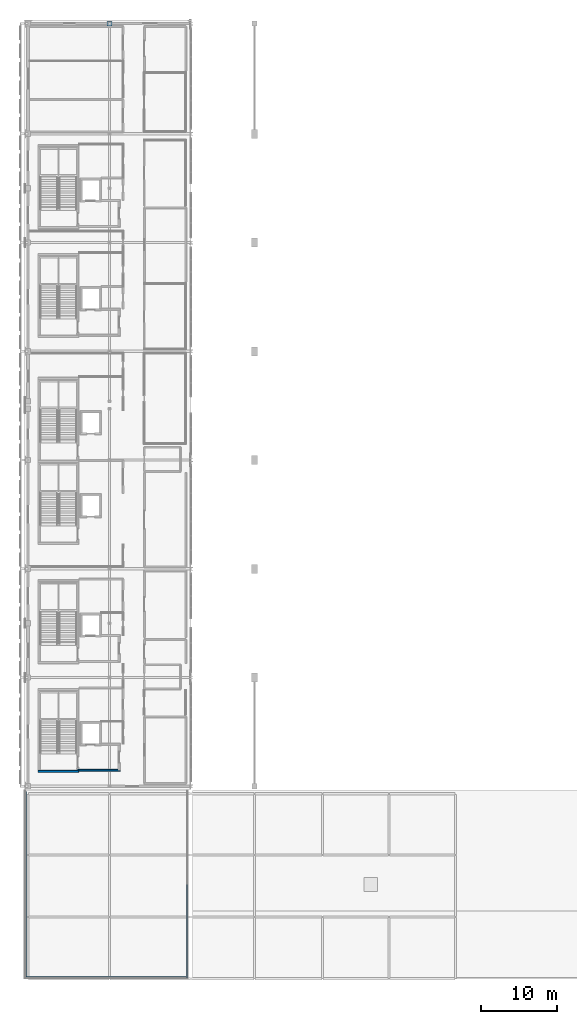
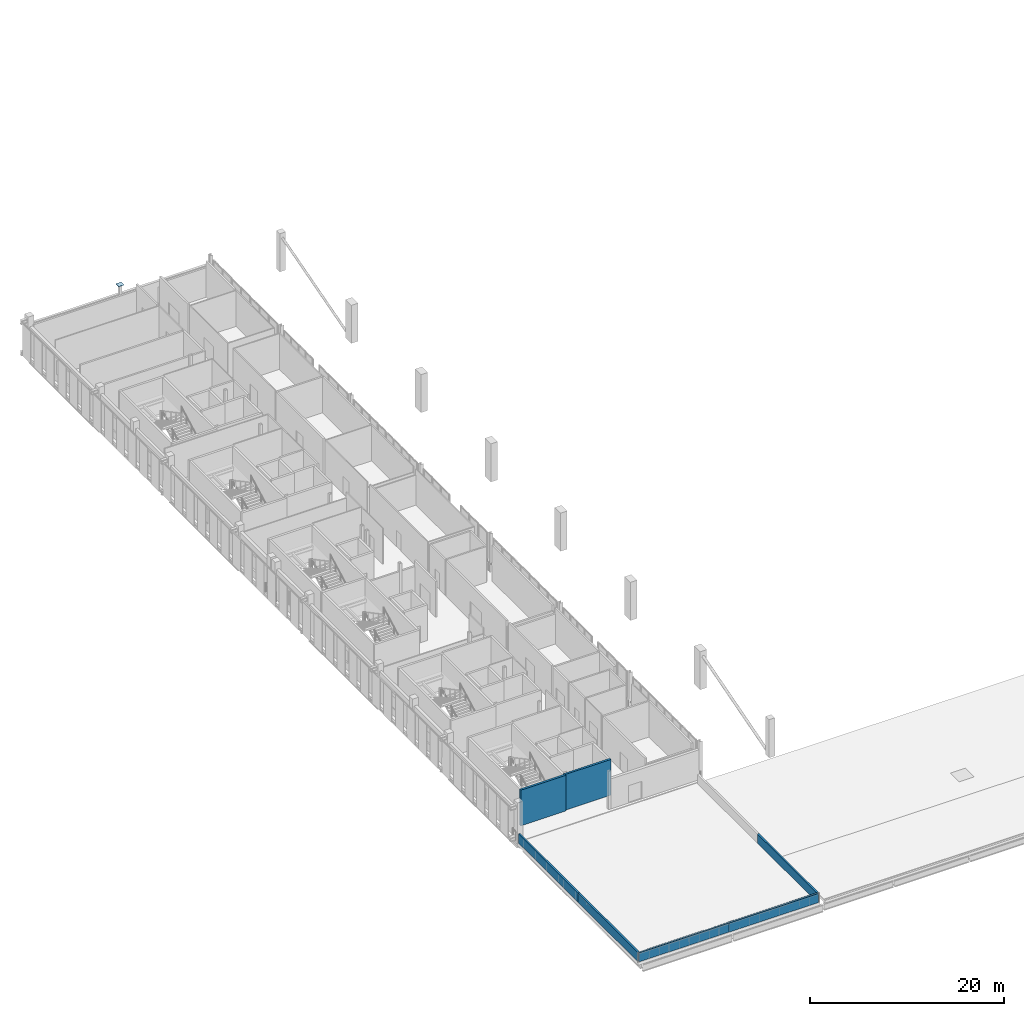
# One storey, part 30 of 51: 7 walls, 1 plate.
"""IFC4 building model written with IfcOpenShell, lengths in metres."""

from ifc_helpers import new_model, si_unit, direction, frame, frame_2d, origin, origin_2d, place, context, subcontext, project, spatial, rectangle, extrude, material, layer, layer_set, type_object, element, save


model = new_model("IFC4")

# Units and contexts
model_context = context("Model", 3, precision=1e-05, world=origin(), true_north=direction((0.0, 1.0)))
body_context = subcontext(model_context, "Body", "Model", "MODEL_VIEW")
ifc_project = project(units=[si_unit("LENGTHUNIT", "METRE"), si_unit("AREAUNIT", "SQUARE_METRE"), si_unit("VOLUMEUNIT", "CUBIC_METRE"), si_unit("PLANEANGLEUNIT", "RADIAN"), si_unit("MASSUNIT", "GRAM", prefix="KILO")], contexts=[model_context])

# Site, building, storey
site_placement = place(None, origin())
site = spatial("IfcSite", under=ifc_project, at=site_placement, CompositionType="ELEMENT")
building_placement = place(site_placement, origin())
building = spatial("IfcBuilding", under=site, at=building_placement, Name="Koshinbarg Plaza Stadium", CompositionType="ELEMENT")
storey_placement = place(building_placement, frame((0.0, 0.0, 24.60009765625)))
storey = spatial("IfcBuildingStorey", under=building, at=storey_placement, Name="L05", CompositionType="ELEMENT", Elevation=24.60009765625)

# Plate
ifc_material_1 = material(Name="Steel S355", Category="steel")
ifc_layer_1 = layer(ifc_material_1, 0.02001953125)
ifc_layer_set_1 = layer_set([ifc_layer_1], Name="Steel S355")
plate_type = type_object("IfcPlateType", Name="PLT-GUS-04", PredefinedType="USERDEFINED", material=ifc_layer_set_1)
plate_placement = place(storey_placement, frame((35.39990234375, 126.5, 4.7998046875), z_axis=(0.0, 0.0, 1.0), x_axis=(1.0, 0.0, 0.0)))
element("IfcPlate", 1, at=plate_placement, inside=storey, type_object=plate_type, Name="Hollow column sealed end cap plate L05 6/R", ObjectType="GUSSET_PLATE", PredefinedType="USERDEFINED", context=body_context, shape_type="SweptSolid", body=[
    extrude(rectangle(XDim=0.6201171875, YDim=0.6201171875, at=origin_2d()), origin(), (0.0, 0.0, 1.0), 0.02001953125),
])

# Walls
ifc_material_2 = material(Name="Concrete C40/50", Category="concrete")
ifc_layer_2 = layer(ifc_material_2, 0.25)
ifc_layer_set_2 = layer_set([ifc_layer_2], Name="Concrete C40/50")
wall_type_1 = type_object("IfcWallType", Name="WL-CORE-250", PredefinedType="SHEAR", material=ifc_layer_set_2)
wall_1_placement = place(storey_placement, frame((25.949951171875, 27.47509765625, 0.0), z_axis=(0.0, 0.0, 1.0), x_axis=(1.0, 0.0, 0.0)))
element("IfcWall", 2, at=wall_1_placement, inside=storey, type_object=wall_type_1, Name="L05 core stair shear wall C01-near IWL-L05-0021", PredefinedType="SHEAR", context=body_context, shape_type="SweptSolid", body=[
    extrude(rectangle(XDim=5.3701171875, YDim=0.25, at=frame_2d((2.68505859375, 0.0))), origin(), (0.0, 0.0, 1.0), 4.5),
])
wall_2_placement = place(storey_placement, frame((31.199951171875, 27.625, 0.0), z_axis=(0.0, 0.0, 1.0), x_axis=(1.0, 0.0, 0.0)))
element("IfcWall", 3, at=wall_2_placement, inside=storey, type_object=wall_type_1, Name="L05 firefighting lobby wall C01-S IWL-L05-0651", PredefinedType="SHEAR", context=body_context, shape_type="SweptSolid", body=[
    extrude(rectangle(XDim=5.60009765625, YDim=0.25, at=frame_2d((2.800048828125, 0.0))), origin(), (0.0, 0.0, 1.0), 4.5),
])
ifc_material_3 = material(Name="Precast concrete C40/50", Category="concrete")
ifc_layer_3 = layer(ifc_material_3, 0.199951171875)
ifc_layer_set_3 = layer_set([ifc_layer_3], Name="Precast concrete C40/50")
wall_type_2 = type_object("IfcWallType", Name="WL-PAR-200", PredefinedType="PARAPET", material=ifc_layer_set_3)
wall_3_placement = place(storey_placement, frame((24.294921875, 0.14990234375, 0.0), z_axis=(0.0, 0.0, 1.0), x_axis=(1.0, 0.0, 0.0)))
element("IfcWall", 4, at=wall_3_placement, inside=storey, type_object=wall_type_2, Name="L05 roof garden parapet 026", PredefinedType="PARAPET", context=body_context, shape_type="SweptSolid", body=[
    extrude(rectangle(XDim=10.677490234375, YDim=0.199951171875, at=frame_2d((5.3388671875, 0.0))), origin(), (0.0, 0.0, 1.0), 1.14990234375),
])
wall_4_placement = place(storey_placement, frame((45.64990234375, 0.14990234375, 0.0), z_axis=(0.0, 0.0, 1.0), x_axis=(0.0, 1.0, 0.0)))
element("IfcWall", 5, at=wall_4_placement, inside=storey, type_object=wall_type_2, Name="L05 roof garden parapet 028", PredefinedType="PARAPET", context=body_context, shape_type="SweptSolid", body=[
    extrude(rectangle(XDim=12.32763671875, YDim=0.199951171875, at=frame_2d((6.163818359375, 0.0))), origin(), (0.0, 0.0, 1.0), 1.14990234375),
])
wall_5_placement = place(storey_placement, frame((24.294921875, 24.804931640625, 0.0), z_axis=(0.0, 0.0, 1.0), x_axis=(0.0, -1.0, 0.0)))
element("IfcWall", 6, at=wall_5_placement, inside=storey, type_object=wall_type_2, Name="L05 roof garden parapet 030", PredefinedType="PARAPET", context=body_context, shape_type="SweptSolid", body=[
    extrude(rectangle(XDim=12.327392578125, YDim=0.199951171875, at=frame_2d((6.16357421875, 0.0))), origin(), (0.0, 0.0, 1.0), 1.14990234375),
])
ifc_layer_4 = layer(ifc_material_3, 0.219970703125)
ifc_layer_set_4 = layer_set([ifc_layer_4], Name="Precast concrete C40/50")
wall_type_3 = type_object("IfcWallType", Name="WL-PAR-220", PredefinedType="PARAPET", material=ifc_layer_set_4)
wall_6_placement = place(storey_placement, frame((34.972412109375, 0.14990234375, 0.0), z_axis=(0.0, 0.0, 1.0), x_axis=(1.0, 0.0, 0.0)))
element("IfcWall", 7, at=wall_6_placement, inside=storey, type_object=wall_type_3, Name="L05 roof garden parapet 027", PredefinedType="PARAPET", context=body_context, shape_type="SweptSolid", body=[
    extrude(rectangle(XDim=10.677490234375, YDim=0.219970703125, at=frame_2d((5.3388671875, 0.0))), origin(), (0.0, 0.0, 1.0), 1.14990234375),
])
wall_7_placement = place(storey_placement, frame((24.294921875, 12.4775390625, 0.0), z_axis=(0.0, 0.0, 1.0), x_axis=(0.0, -1.0, 0.0)))
element("IfcWall", 8, at=wall_7_placement, inside=storey, type_object=wall_type_3, Name="L05 roof garden parapet 031", PredefinedType="PARAPET", context=body_context, shape_type="SweptSolid", body=[
    extrude(rectangle(XDim=12.32763671875, YDim=0.219970703125, at=frame_2d((6.163818359375, 0.0))), origin(), (0.0, 0.0, 1.0), 1.14990234375),
])

save(model, "model.ifc")
